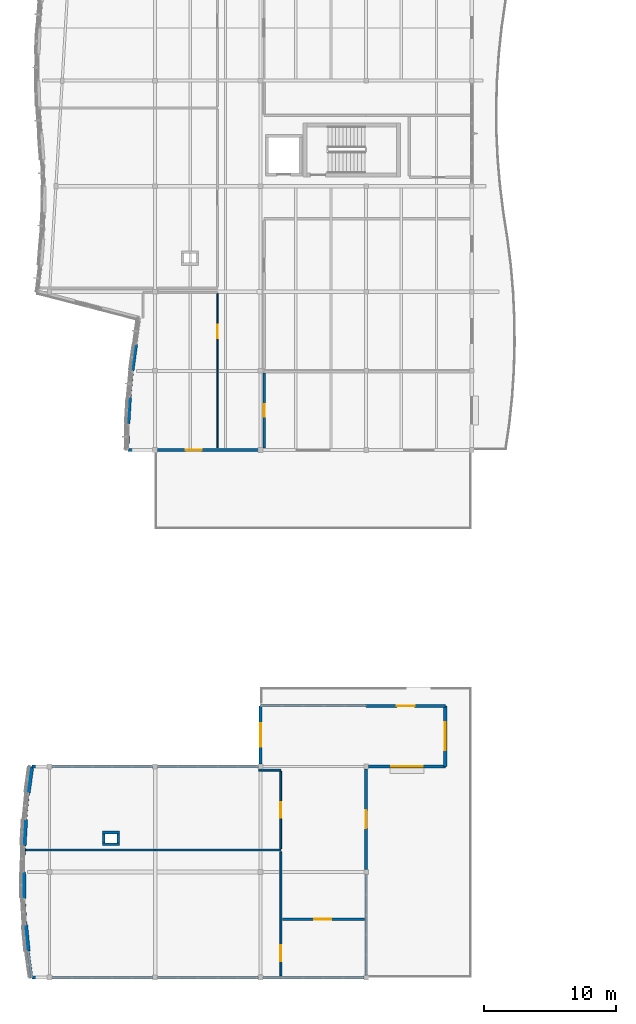
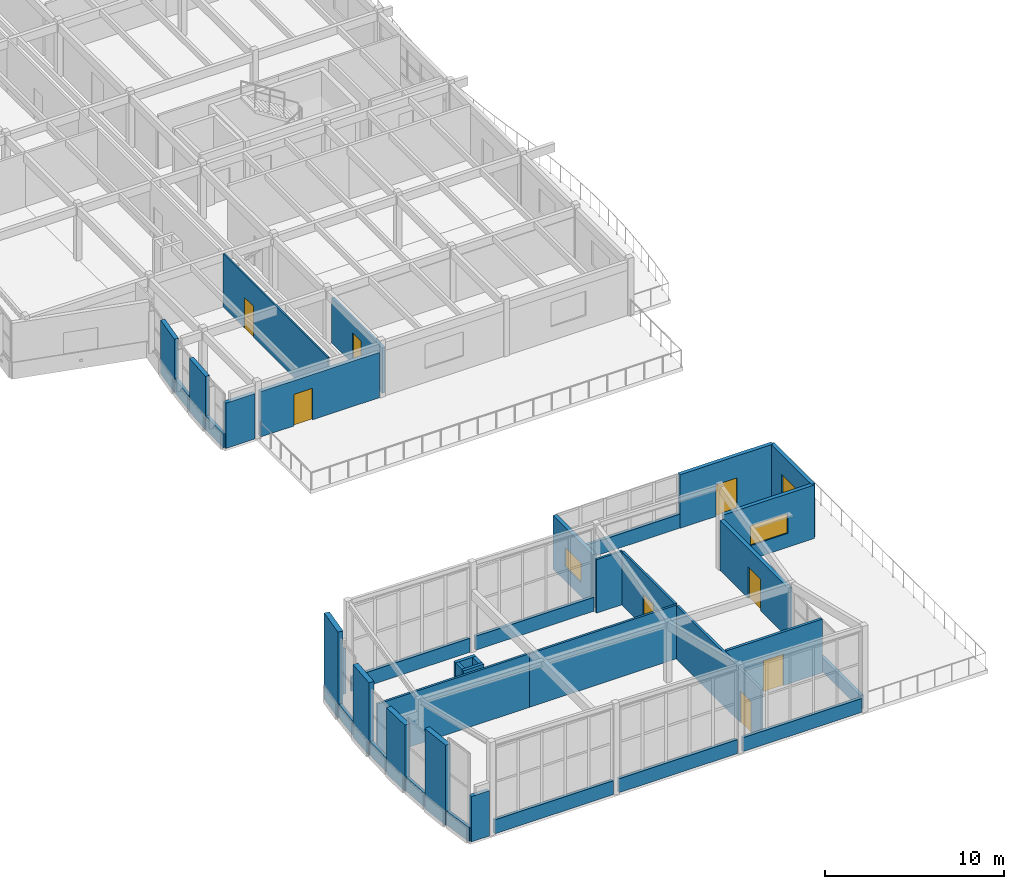
# One storey, part 37 of 63: 40 walls, 8 doors, 3 windows, 11 openings.
"""IFC4 building model written with IfcOpenShell, lengths in metres."""

from ifc_helpers import new_model, si_unit, direction, frame, frame_2d, origin, place, context, subcontext, project, spatial, rectangle, extrude, material, layer, layer_set, type_object, element, fill, save


model = new_model("IFC4")

# Units and contexts
model_context = context("Model", 3, precision=1e-05, world=origin(), true_north=direction((0.0, 1.0)))
body_context = subcontext(model_context, "Body", "Model", "MODEL_VIEW")
ifc_project = project(units=[si_unit("LENGTHUNIT", "METRE"), si_unit("AREAUNIT", "SQUARE_METRE"), si_unit("VOLUMEUNIT", "CUBIC_METRE"), si_unit("PLANEANGLEUNIT", "RADIAN"), si_unit("MASSUNIT", "GRAM", prefix="KILO")], contexts=[model_context])

# Site, building, storey
site_placement = place(None, origin())
site = spatial("IfcSite", under=ifc_project, at=site_placement, CompositionType="ELEMENT")
building_placement = place(site_placement, origin())
building = spatial("IfcBuilding", under=site, at=building_placement, Name="Tonlespit Floodbar School", CompositionType="ELEMENT")
storey_placement = place(building_placement, frame((0.0, 0.0, 8.39990234375)))
storey = spatial("IfcBuildingStorey", under=building, at=storey_placement, Name="L02", CompositionType="ELEMENT", Elevation=8.39990234375)

# Walls
ifc_material_1 = material(Name="Concrete C40/50", Category="concrete")
ifc_layer_1 = layer(ifc_material_1, 0.320068359375)
ifc_layer_set_1 = layer_set([ifc_layer_1], Name="Concrete C40/50")
wall_type_1 = type_object("IfcWallType", Name="ExtWall_Podium_RC_320", PredefinedType="SOLIDWALL", material=ifc_layer_set_1)
wall_1_placement = place(storey_placement, frame((2.378173828125, 6.0, 0.0), z_axis=(0.0, 0.0, 1.0), x_axis=(-0.096110619057, 0.995370659053, 0.0)))
element("IfcWall", 1, at=wall_1_placement, inside=storey, type_object=wall_type_1, Name="L02 external wall 0736", PredefinedType="SOLIDWALL", context=body_context, shape_type="SweptSolid", body=[
    extrude(rectangle(XDim=2.00927734375, YDim=0.320068359375, at=frame_2d((1.004638671875, 0.0))), origin(), (0.0, 0.0, 1.0), 5.465087890625),
])
wall_2_placement = place(storey_placement, frame((2.0693359375, 10.0, 0.0), z_axis=(0.0, 0.0, 1.0), x_axis=(-0.019161520385, 0.999816401214, 0.0)))
element("IfcWall", 2, at=wall_2_placement, inside=storey, type_object=wall_type_1, Name="L02 external wall 0738", PredefinedType="SOLIDWALL", context=body_context, shape_type="SweptSolid", body=[
    extrude(rectangle(XDim=2.00048828125, YDim=0.320068359375, at=frame_2d((1.000244140625, 0.0))), origin(), (0.0, 0.0, 1.0), 4.503662109375),
])
wall_3_placement = place(storey_placement, frame((2.0693359375, 14.0, 0.0), z_axis=(0.0, 0.0, 1.0), x_axis=(0.05776471272, 0.998330224908, 0.0)))
element("IfcWall", 3, at=wall_3_placement, inside=storey, type_object=wall_type_1, Name="L02 external wall 0740", PredefinedType="SOLIDWALL", context=body_context, shape_type="SweptSolid", body=[
    extrude(rectangle(XDim=2.00341796875, YDim=0.320068359375, at=frame_2d((1.001708984375, 0.0))), origin(), (0.0, 0.0, 1.0), 4.961669921875),
])
wall_4_placement = place(storey_placement, frame((2.378173828125, 18.0, 0.0), z_axis=(0.0, 0.0, 1.0), x_axis=(0.134627389588, 0.990896294257, 0.0)))
element("IfcWall", 4, at=wall_4_placement, inside=storey, type_object=wall_type_1, Name="L02 external wall 0742", PredefinedType="SOLIDWALL", context=body_context, shape_type="SweptSolid", body=[
    extrude(rectangle(XDim=2.018310546875, YDim=0.320068359375, at=frame_2d((1.00927734375, 0.0))), origin(), (0.0, 0.0, 1.0), 5.872802734375),
])

# Wall, opening, door
ifc_material_2 = material(Name="Precast concrete C40/50", Category="concrete")
ifc_layer_2 = layer(ifc_material_2, 0.239990234375)
ifc_layer_set_2 = layer_set([ifc_layer_2], Name="Precast concrete C40/50")
wall_type_2 = type_object("IfcWallType", Name="ExtWall_Rainscreen_240", PredefinedType="SOLIDWALL", material=ifc_layer_set_2)
wall_5_placement = place(storey_placement, frame((19.820068359375, 44.0, 0.0), z_axis=(0.0, 0.0, 1.0), x_axis=(-1.0, 0.0, 0.0)))
wall_5 = element("IfcWall", 5, at=wall_5_placement, inside=storey, type_object=wall_type_2, Name="L02 external wall 0419", PredefinedType="SOLIDWALL", context=body_context, shape_type="SweptSolid", body=[
    extrude(rectangle(XDim=7.64013671875, YDim=0.239990234375, at=frame_2d((3.820068359375, 0.0))), origin(), (0.0, 0.0, 1.0), 3.088134765625),
])
opening_1_placement = place(wall_5_placement, frame((4.300048828125, 0.0, 0.0)))
opening_1 = element("IfcOpeningElement", 6, at=opening_1_placement, cuts=wall_5, Name="Opening D-TR-018", PredefinedType="OPENING", context=body_context, shape_type="SweptSolid", body=[
    extrude(rectangle(XDim=1.199951171875, YDim=2.14990234375, at=frame_2d((0.60009765625, 1.074951171875))), frame((0.0, 0.1298828125, 0.0), z_axis=(0.0, -1.0, 0.0), x_axis=(1.0, 0.0, 0.0)), (0.0, 0.0, 1.0), 0.260009765625),
])
ifc_material_3 = material(Name="Anodised Aluminium", Category="aluminium")
door_type_1 = type_object("IfcDoorType", Name="ExtDoor_Terrace_1200x2150", OperationType="NOTDEFINED", PredefinedType="DOOR", material=ifc_material_3)
door_1_placement = place(opening_1_placement, origin())
door_1 = element("IfcDoor", 7, at=door_1_placement, inside=storey, type_object=door_type_1, Name="L02 exterior door D-TR-018", OperationType="SINGLE_SWING_RIGHT", OverallHeight=2.14990234375, OverallWidth=1.199951171875, PredefinedType="DOOR", context=body_context, shape_type="SweptSolid", body=[
    extrude(rectangle(XDim=1.199951171875, YDim=2.14990234375, at=frame_2d((0.60009765625, 1.074951171875))), frame((0.0, 0.02490234375, 0.0), z_axis=(0.0, -1.0, 0.0), x_axis=(1.0, 0.0, 0.0)), (0.0, 0.0, 1.0), 0.050048828125),
])
fill(opening_1, door_1)

# Walls
wall_6_placement = place(storey_placement, frame((11.820068359375, 44.0, 0.0), z_axis=(0.0, 0.0, 1.0), x_axis=(-1.0, 0.0, 0.0)))
element("IfcWall", 8, at=wall_6_placement, inside=storey, type_object=wall_type_2, Name="L02 external wall 0420", PredefinedType="SOLIDWALL", context=body_context, shape_type="SweptSolid", body=[
    extrude(rectangle(XDim=1.88916015625, YDim=0.239990234375, at=frame_2d((0.944580078125, 0.0))), origin(), (0.0, 0.0, 1.0), 3.090087890625),
])
for number, where, z_axis, x_axis, name in (
    (9, (3.820068359375, 4.0, 0.0), (0.0, 0.0, 1.0), (-1.0, 0.0, 0.0), "L02 external wall 0746"),
    (10, (2.64990234375, 20.0, 0.0), (0.0, 0.0, 1.0), (1.0, 0.0, 0.0), "L02 external wall 0747"),
):
    element("IfcWall", number, at=place(storey_placement, frame(where, z_axis=z_axis, x_axis=x_axis)), inside=storey, type_object=wall_type_2, Name=name, PredefinedType="SOLIDWALL", context=body_context, shape_type="SweptSolid", body=[
        extrude(rectangle(XDim=1.170166015625, YDim=0.239990234375, at=frame_2d((0.5849609375, 0.0))), origin(), (0.0, 0.0, 1.0), 3.090087890625),
    ])

# Wall, opening, window
wall_7_placement = place(storey_placement, frame((20.0, 20.179931640625, 0.0), z_axis=(0.0, 0.0, 1.0), x_axis=(0.0, 1.0, 0.0)))
wall_7 = element("IfcWall", 11, at=wall_7_placement, inside=storey, type_object=wall_type_2, Name="L02 external wall 0750", PredefinedType="SOLIDWALL", context=body_context, shape_type="SweptSolid", body=[
    extrude(rectangle(XDim=4.420166015625, YDim=0.239990234375, at=frame_2d((2.2099609375, 0.0))), origin(), (0.0, 0.0, 1.0), 3.650146484375),
])
opening_2_placement = place(wall_7_placement, frame((1.31005859375, 0.0, 0.949951171875)))
opening_2 = element("IfcOpeningElement", 12, at=opening_2_placement, cuts=wall_7, Name="Opening W-L02-082", PredefinedType="OPENING", context=body_context, shape_type="SweptSolid", body=[
    extrude(rectangle(XDim=1.800048828125, YDim=1.35009765625, at=frame_2d((0.89990234375, 0.675048828125))), frame((0.0, 0.1298828125, 0.0), z_axis=(0.0, -1.0, 0.0), x_axis=(1.0, 0.0, 0.0)), (0.0, 0.0, 1.0), 0.260009765625),
])
ifc_material_4 = material(Name="Tempered Double Glazing", Category="glass")
window_type_1 = type_object("IfcWindowType", Name="Win_Mod_1800x1350", PartitioningType="DOUBLE_PANEL_VERTICAL", PredefinedType="WINDOW", material=ifc_material_4)
window_1_placement = place(opening_2_placement, origin())
window_1 = element("IfcWindow", 13, at=window_1_placement, inside=storey, type_object=window_type_1, Name="L02 window W-L02-082", OverallHeight=1.35009765625, OverallWidth=1.800048828125, PartitioningType="DOUBLE_PANEL_VERTICAL", PredefinedType="WINDOW", context=body_context, shape_type="SweptSolid", body=[
    extrude(rectangle(XDim=1.800048828125, YDim=1.35009765625, at=frame_2d((0.89990234375, 0.675048828125))), frame((0.0, 0.030029296875, 0.0), z_axis=(0.0, -1.0, 0.0), x_axis=(1.0, 0.0, 0.0)), (0.0, 0.0, 1.0), 0.06005859375),
])
fill(opening_2, window_1)

# Wall, opening, door
wall_8_placement = place(storey_placement, frame((28.0, 24.60009765625, 0.0), z_axis=(0.0, 0.0, 1.0), x_axis=(1.0, 0.0, 0.0)))
wall_8 = element("IfcWall", 14, at=wall_8_placement, inside=storey, type_object=wall_type_2, Name="L02 external wall 0752", PredefinedType="SOLIDWALL", context=body_context, shape_type="SweptSolid", body=[
    extrude(rectangle(XDim=6.0, YDim=0.239990234375, at=frame_2d((3.0, 0.0))), origin(), (0.0, 0.0, 1.0), 3.650146484375),
])
opening_3_placement = place(wall_8_placement, frame((2.324951171875, 0.0, 0.0)))
opening_3 = element("IfcOpeningElement", 15, at=opening_3_placement, cuts=wall_8, Name="Opening D-TR-040", PredefinedType="OPENING", context=body_context, shape_type="SweptSolid", body=[
    extrude(rectangle(XDim=1.35009765625, YDim=2.14990234375, at=frame_2d((0.675048828125, 1.074951171875))), frame((0.0, 0.1298828125, 0.0), z_axis=(0.0, -1.0, 0.0), x_axis=(1.0, 0.0, 0.0)), (0.0, 0.0, 1.0), 0.260009765625),
])
door_type_2 = type_object("IfcDoorType", Name="ExtDoor_Terrace_1350x2150", OperationType="NOTDEFINED", PredefinedType="DOOR", material=ifc_material_3)
door_2_placement = place(opening_3_placement, origin())
door_2 = element("IfcDoor", 16, at=door_2_placement, inside=storey, type_object=door_type_2, Name="L02 exterior door D-TR-040", OperationType="SINGLE_SWING_RIGHT", OverallHeight=2.14990234375, OverallWidth=1.35009765625, PredefinedType="DOOR", context=body_context, shape_type="SweptSolid", body=[
    extrude(rectangle(XDim=1.35009765625, YDim=2.14990234375, at=frame_2d((0.675048828125, 1.074951171875))), frame((0.0, 0.02490234375, 0.0), z_axis=(0.0, -1.0, 0.0), x_axis=(1.0, 0.0, 0.0)), (0.0, 0.0, 1.0), 0.050048828125),
])
fill(opening_3, door_2)

# Wall, opening, window
wall_9_placement = place(storey_placement, frame((34.0, 24.60009765625, 0.0), z_axis=(0.0, 0.0, 1.0), x_axis=(0.0, -1.0, 0.0)))
wall_9 = element("IfcWall", 17, at=wall_9_placement, inside=storey, type_object=wall_type_2, Name="L02 external wall 0753", PredefinedType="SOLIDWALL", context=body_context, shape_type="SweptSolid", body=[
    extrude(rectangle(XDim=4.60009765625, YDim=0.239990234375, at=frame_2d((2.300048828125, 0.0))), origin(), (0.0, 0.0, 1.0), 3.650146484375),
])
opening_4_placement = place(wall_9_placement, frame((1.25, 0.0, 0.949951171875)))
opening_4 = element("IfcOpeningElement", 18, at=opening_4_placement, cuts=wall_9, Name="Opening W-L02-083", PredefinedType="OPENING", context=body_context, shape_type="SweptSolid", body=[
    extrude(rectangle(XDim=2.10009765625, YDim=1.35009765625, at=frame_2d((1.050048828125, 0.675048828125))), frame((0.0, 0.1298828125, 0.0), z_axis=(0.0, -1.0, 0.0), x_axis=(1.0, 0.0, 0.0)), (0.0, 0.0, 1.0), 0.260009765625),
])
window_type_2 = type_object("IfcWindowType", Name="Win_Mod_2100x1350", PartitioningType="DOUBLE_PANEL_VERTICAL", PredefinedType="WINDOW", material=ifc_material_4)
window_2_placement = place(opening_4_placement, origin())
window_2 = element("IfcWindow", 19, at=window_2_placement, inside=storey, type_object=window_type_2, Name="L02 window W-L02-083", OverallHeight=1.35009765625, OverallWidth=2.10009765625, PartitioningType="DOUBLE_PANEL_VERTICAL", PredefinedType="WINDOW", context=body_context, shape_type="SweptSolid", body=[
    extrude(rectangle(XDim=2.10009765625, YDim=1.35009765625, at=frame_2d((1.050048828125, 0.675048828125))), frame((0.0, 0.030029296875, 0.0), z_axis=(0.0, -1.0, 0.0), x_axis=(1.0, 0.0, 0.0)), (0.0, 0.0, 1.0), 0.06005859375),
])
fill(opening_4, window_2)

wall_10_placement = place(storey_placement, frame((34.0, 20.0, 0.0), z_axis=(0.0, 0.0, 1.0), x_axis=(-1.0, 0.0, 0.0)))
wall_10 = element("IfcWall", 20, at=wall_10_placement, inside=storey, type_object=wall_type_2, Name="L02 external wall 0754", PredefinedType="SOLIDWALL", context=body_context, shape_type="SweptSolid", body=[
    extrude(rectangle(XDim=5.820068359375, YDim=0.239990234375, at=frame_2d((2.91015625, 0.0))), origin(), (0.0, 0.0, 1.0), 3.650146484375),
])
opening_5_placement = place(wall_10_placement, frame((1.7099609375, 0.0, 0.949951171875)))
opening_5 = element("IfcOpeningElement", 21, at=opening_5_placement, cuts=wall_10, Name="Opening W-L02-084", PredefinedType="OPENING", context=body_context, shape_type="SweptSolid", body=[
    extrude(rectangle(XDim=2.39990234375, YDim=1.35009765625, at=frame_2d((1.199951171875, 0.675048828125))), frame((0.0, 0.1298828125, 0.0), z_axis=(0.0, -1.0, 0.0), x_axis=(1.0, 0.0, 0.0)), (0.0, 0.0, 1.0), 0.260009765625),
])
window_type_3 = type_object("IfcWindowType", Name="Win_Mod_2400x1350", PartitioningType="DOUBLE_PANEL_VERTICAL", PredefinedType="WINDOW", material=ifc_material_4)
window_3_placement = place(opening_5_placement, origin())
window_3 = element("IfcWindow", 22, at=window_3_placement, inside=storey, type_object=window_type_3, Name="L02 window W-L02-084", OverallHeight=1.35009765625, OverallWidth=2.39990234375, PartitioningType="DOUBLE_PANEL_VERTICAL", PredefinedType="WINDOW", context=body_context, shape_type="SweptSolid", body=[
    extrude(rectangle(XDim=2.39990234375, YDim=1.35009765625, at=frame_2d((1.199951171875, 0.675048828125))), frame((0.0, 0.030029296875, 0.0), z_axis=(0.0, -1.0, 0.0), x_axis=(1.0, 0.0, 0.0)), (0.0, 0.0, 1.0), 0.06005859375),
])
fill(opening_5, window_3)

# Wall, opening, door
wall_11_placement = place(storey_placement, frame((28.0, 19.820068359375, 0.0), z_axis=(0.0, 0.0, 1.0), x_axis=(0.0, -1.0, 0.0)))
wall_11 = element("IfcWall", 23, at=wall_11_placement, inside=storey, type_object=wall_type_2, Name="L02 external wall 0755", PredefinedType="SOLIDWALL", context=body_context, shape_type="SweptSolid", body=[
    extrude(rectangle(XDim=7.64013671875, YDim=0.239990234375, at=frame_2d((3.820068359375, 0.0))), origin(), (0.0, 0.0, 1.0), 3.411865234375),
])
opening_6_placement = place(wall_11_placement, frame((3.14501953125, 0.0, 0.0)))
opening_6 = element("IfcOpeningElement", 24, at=opening_6_placement, cuts=wall_11, Name="Opening D-TR-041", PredefinedType="OPENING", context=body_context, shape_type="SweptSolid", body=[
    extrude(rectangle(XDim=1.35009765625, YDim=2.14990234375, at=frame_2d((0.675048828125, 1.074951171875))), frame((0.0, 0.1298828125, 0.0), z_axis=(0.0, -1.0, 0.0), x_axis=(1.0, 0.0, 0.0)), (0.0, 0.0, 1.0), 0.260009765625),
])
door_3_placement = place(opening_6_placement, origin())
door_3 = element("IfcDoor", 25, at=door_3_placement, inside=storey, type_object=door_type_2, Name="L02 exterior door D-TR-041", OperationType="SINGLE_SWING_LEFT", OverallHeight=2.14990234375, OverallWidth=1.35009765625, PredefinedType="DOOR", context=body_context, shape_type="SweptSolid", body=[
    extrude(rectangle(XDim=1.35009765625, YDim=2.14990234375, at=frame_2d((0.675048828125, 1.074951171875))), frame((0.0, 0.02490234375, 0.0), z_axis=(0.0, -1.0, 0.0), x_axis=(1.0, 0.0, 0.0)), (0.0, 0.0, 1.0), 0.050048828125),
])
fill(opening_6, door_3)

# Walls
ifc_layer_3 = layer(ifc_material_2, 0.260009765625)
ifc_layer_set_3 = layer_set([ifc_layer_3], Name="Precast concrete C40/50")
wall_type_3 = type_object("IfcWallType", Name="ExtWall_Rainscreen_260", PredefinedType="SOLIDWALL", material=ifc_layer_set_3)
wall_12_placement = place(storey_placement, frame((9.969482421875, 46.0, 0.0), z_axis=(0.0, 0.0, 1.0), x_axis=(0.057643251596, 0.998337245396, 0.0)))
element("IfcWall", 26, at=wall_12_placement, inside=storey, type_object=wall_type_3, Name="L02 external wall 0381", PredefinedType="SOLIDWALL", context=body_context, shape_type="SweptSolid", body=[
    extrude(rectangle(XDim=2.00341796875, YDim=0.260009765625, at=frame_2d((1.001708984375, 0.0))), origin(), (0.0, 0.0, 1.0), 3.650146484375),
])
wall_13_placement = place(storey_placement, frame((10.2783203125, 50.0, 0.0), z_axis=(0.0, 0.0, 1.0), x_axis=(0.134627389588, 0.990896294257, 0.0)))
element("IfcWall", 27, at=wall_13_placement, inside=storey, type_object=wall_type_3, Name="L02 external wall 0383", PredefinedType="SOLIDWALL", context=body_context, shape_type="SweptSolid", body=[
    extrude(rectangle(XDim=2.018310546875, YDim=0.260009765625, at=frame_2d((1.00927734375, 0.0))), origin(), (0.0, 0.0, 1.0), 3.650146484375),
])
ifc_material_5 = material(Name="White Architectural Precast concrete C40/50", Category="concrete")
ifc_layer_4 = layer(ifc_material_5, 0.18505859375)
ifc_layer_set_4 = layer_set([ifc_layer_4], Name="White Architectural Precast concrete C40/50")
wall_type_4 = type_object("IfcWallType", Name="ExtWall_Spandrel_White_185", PredefinedType="SOLIDWALL", material=ifc_layer_set_4)
for number, where, z_axis, x_axis, name in (
    (28, (27.820068359375, 4.0, 0.0), (0.0, 0.0, 1.0), (-1.0, 0.0, 0.0), "L02 spandrel wall 0743"),
    (29, (19.820068359375, 4.0, 0.0), (0.0, 0.0, 1.0), (-1.0, 0.0, 0.0), "L02 spandrel wall 0744"),
    (30, (11.820068359375, 4.0, 0.0), (0.0, 0.0, 1.0), (-1.0, 0.0, 0.0), "L02 spandrel wall 0745"),
    (31, (4.179931640625, 20.0, 0.0), (0.0, 0.0, 1.0), (1.0, 0.0, 0.0), "L02 spandrel wall 0748"),
    (32, (12.179931640625, 20.0, 0.0), (0.0, 0.0, 1.0), (1.0, 0.0, 0.0), "L02 spandrel wall 0749"),
):
    element("IfcWall", number, at=place(storey_placement, frame(where, z_axis=z_axis, x_axis=x_axis)), inside=storey, type_object=wall_type_4, Name=name, PredefinedType="SOLIDWALL", context=body_context, shape_type="SweptSolid", body=[
        extrude(rectangle(XDim=7.64013671875, YDim=0.18505859375, at=frame_2d((3.820068359375, 0.0))), origin(), (0.0, 0.0, 1.0), 0.9501953125),
    ])
wall_14_placement = place(storey_placement, frame((20.0, 24.60009765625, 0.0), z_axis=(0.0, 0.0, 1.0), x_axis=(1.0, 0.0, 0.0)))
element("IfcWall", 33, at=wall_14_placement, inside=storey, type_object=wall_type_4, Name="L02 spandrel wall 0751", PredefinedType="SOLIDWALL", context=body_context, shape_type="SweptSolid", body=[
    extrude(rectangle(XDim=8.0, YDim=0.18505859375, at=frame_2d((4.0, 0.0))), origin(), (0.0, 0.0, 1.0), 0.9501953125),
])
wall_15_placement = place(storey_placement, frame((28.0, 11.820068359375, 0.0), z_axis=(0.0, 0.0, 1.0), x_axis=(0.0, -1.0, 0.0)))
element("IfcWall", 34, at=wall_15_placement, inside=storey, type_object=wall_type_4, Name="L02 spandrel wall 0756", PredefinedType="SOLIDWALL", context=body_context, shape_type="SweptSolid", body=[
    extrude(rectangle(XDim=7.64013671875, YDim=0.18505859375, at=frame_2d((3.820068359375, 0.0))), origin(), (0.0, 0.0, 1.0), 0.9501953125),
])
ifc_layer_5 = layer(ifc_material_5, 0.199951171875)
ifc_layer_set_5 = layer_set([ifc_layer_5], Name="White Architectural Precast concrete C40/50")
wall_type_5 = type_object("IfcWallType", Name="ExtWall_Spandrel_White_200", PredefinedType="SOLIDWALL", material=ifc_layer_set_5)
wall_16_placement = place(storey_placement, frame((9.930908203125, 44.0, 0.0), z_axis=(0.0, 0.0, 1.0), x_axis=(0.019283523045, 0.999814055582, 0.0)))
element("IfcWall", 35, at=wall_16_placement, inside=storey, type_object=wall_type_5, Name="L02 spandrel wall 0380", PredefinedType="SOLIDWALL", context=body_context, shape_type="SweptSolid", body=[
    extrude(rectangle(XDim=2.00048828125, YDim=0.199951171875, at=frame_2d((1.000244140625, 0.0))), origin(), (0.0, 0.0, 1.0), 0.9501953125),
])
wall_17_placement = place(storey_placement, frame((10.0849609375, 48.0, 0.0), z_axis=(0.0, 0.0, 1.0), x_axis=(0.09623099978, 0.99535902803, 0.0)))
element("IfcWall", 36, at=wall_17_placement, inside=storey, type_object=wall_type_5, Name="L02 spandrel wall 0382", PredefinedType="SOLIDWALL", context=body_context, shape_type="SweptSolid", body=[
    extrude(rectangle(XDim=2.00927734375, YDim=0.199951171875, at=frame_2d((1.004638671875, 0.0))), origin(), (0.0, 0.0, 1.0), 0.9501953125),
])
wall_18_placement = place(storey_placement, frame((2.64990234375, 4.0, 0.0), z_axis=(0.0, 0.0, 1.0), x_axis=(-0.134627389588, 0.990896294257, 0.0)))
element("IfcWall", 37, at=wall_18_placement, inside=storey, type_object=wall_type_5, Name="L02 spandrel wall 0735", PredefinedType="SOLIDWALL", context=body_context, shape_type="SweptSolid", body=[
    extrude(rectangle(XDim=2.018310546875, YDim=0.199951171875, at=frame_2d((1.00927734375, 0.0))), origin(), (0.0, 0.0, 1.0), 0.9501953125),
])
wall_19_placement = place(storey_placement, frame((2.18505859375, 8.0, 0.0), z_axis=(0.0, 0.0, 1.0), x_axis=(-0.05776471272, 0.998330224908, 0.0)))
element("IfcWall", 38, at=wall_19_placement, inside=storey, type_object=wall_type_5, Name="L02 spandrel wall 0737", PredefinedType="SOLIDWALL", context=body_context, shape_type="SweptSolid", body=[
    extrude(rectangle(XDim=2.00341796875, YDim=0.199951171875, at=frame_2d((1.001708984375, 0.0))), origin(), (0.0, 0.0, 1.0), 0.9501953125),
])
wall_20_placement = place(storey_placement, frame((2.031005859375, 12.0, 0.0), z_axis=(0.0, 0.0, 1.0), x_axis=(0.019161520385, 0.999816401214, 0.0)))
element("IfcWall", 39, at=wall_20_placement, inside=storey, type_object=wall_type_5, Name="L02 spandrel wall 0739", PredefinedType="SOLIDWALL", context=body_context, shape_type="SweptSolid", body=[
    extrude(rectangle(XDim=2.00048828125, YDim=0.199951171875, at=frame_2d((1.000244140625, 0.0))), origin(), (0.0, 0.0, 1.0), 0.9501953125),
])
wall_21_placement = place(storey_placement, frame((2.18505859375, 16.0, 0.0), z_axis=(0.0, 0.0, 1.0), x_axis=(0.096110619057, 0.995370659053, 0.0)))
element("IfcWall", 40, at=wall_21_placement, inside=storey, type_object=wall_type_5, Name="L02 spandrel wall 0741", PredefinedType="SOLIDWALL", context=body_context, shape_type="SweptSolid", body=[
    extrude(rectangle(XDim=2.00927734375, YDim=0.199951171875, at=frame_2d((1.004638671875, 0.0))), origin(), (0.0, 0.0, 1.0), 0.9501953125),
])
ifc_layer_6 = layer(ifc_material_1, 0.199951171875)
ifc_layer_set_6 = layer_set([ifc_layer_6], Name="Concrete C40/50")
wall_type_6 = type_object("IfcWallType", Name="FireWall_Plant_200", PredefinedType="PARTITIONING", material=ifc_layer_set_6)
for number, where, z_axis, x_axis, name in (
    (41, (9.300048828125, 14.10009765625, 0.0), (0.0, 0.0, 1.0), (-1.0, 0.0, 0.0), "L02 service riser 06 wall S"),
    (42, (8.0, 15.0, 0.0), (0.0, 0.0, 1.0), (1.0, 0.0, 0.0), "L02 service riser 06 wall N"),
):
    element("IfcWall", number, at=place(storey_placement, frame(where, z_axis=z_axis, x_axis=x_axis)), inside=storey, type_object=wall_type_6, Name=name, PredefinedType="PARTITIONING", context=body_context, shape_type="SweptSolid", body=[
        extrude(rectangle(XDim=1.300048828125, YDim=0.199951171875, at=frame_2d((0.64990234375, 0.0))), origin(), (0.0, 0.0, 1.0), 3.650146484375),
    ])
for number, where, z_axis, x_axis, name in (
    (43, (8.10009765625, 14.199951171875, 0.0), (0.0, 0.0, 1.0), (0.0, 1.0, 0.0), "L02 service riser 06 wall W"),
    (44, (9.199951171875, 14.89990234375, 0.0), (0.0, 0.0, 1.0), (0.0, -1.0, 0.0), "L02 service riser 06 wall E"),
):
    element("IfcWall", number, at=place(storey_placement, frame(where, z_axis=z_axis, x_axis=x_axis)), inside=storey, type_object=wall_type_6, Name=name, PredefinedType="PARTITIONING", context=body_context, shape_type="SweptSolid", body=[
        extrude(rectangle(XDim=0.699951171875, YDim=0.199951171875, at=frame_2d((0.35009765625, 0.0))), origin(), (0.0, 0.0, 1.0), 3.650146484375),
    ])

# Wall, opening, door
ifc_material_6 = material(Name="Gypsum Plasterboard Partition")
ifc_layer_7 = layer(ifc_material_6, 0.10009765625)
ifc_layer_set_7 = layer_set([ifc_layer_7], Name="Gypsum Plasterboard Partition")
wall_type_7 = type_object("IfcWallType", Name="Partition_Gyp_100", PredefinedType="PARTITIONING", material=ifc_layer_set_7)
wall_22_placement = place(storey_placement, frame((16.72998046875, 44.162109375, 0.0), z_axis=(0.0, 0.0, 1.0), x_axis=(0.0, 1.0, 0.0)))
wall_22 = element("IfcWall", 45, at=wall_22_placement, inside=storey, type_object=wall_type_7, Name="L02 partition wall 0251", PredefinedType="PARTITIONING", context=body_context, shape_type="SweptSolid", body=[
    extrude(rectangle(XDim=11.702880859375, YDim=0.10009765625, at=frame_2d((5.8515625, 0.0))), origin(), (0.0, 0.0, 1.0), 3.650146484375),
])
opening_7_placement = place(wall_22_placement, frame((8.327880859375, 0.0, 0.0)))
opening_7 = element("IfcOpeningElement", 46, at=opening_7_placement, cuts=wall_22, Name="Opening D-L02-073", PredefinedType="OPENING", context=body_context, shape_type="SweptSolid", body=[
    extrude(rectangle(XDim=1.02001953125, YDim=2.10009765625, at=frame_2d((0.510009765625, 1.050048828125))), frame((0.0, 0.06005859375, 0.0), z_axis=(0.0, -1.0, 0.0), x_axis=(1.0, 0.0, 0.0)), (0.0, 0.0, 1.0), 0.1201171875),
])
ifc_material_7 = material(Name="Hardwood Timber", Category="wood")
door_type_3 = type_object("IfcDoorType", Name="IntDoor_1020x2100", OperationType="NOTDEFINED", PredefinedType="DOOR", material=ifc_material_7)
door_4_placement = place(opening_7_placement, origin())
door_4 = element("IfcDoor", 47, at=door_4_placement, inside=storey, type_object=door_type_3, Name="L02 interior door D-L02-073", OperationType="SINGLE_SWING_RIGHT", OverallHeight=2.10009765625, OverallWidth=1.02001953125, PredefinedType="DOOR", context=body_context, shape_type="SweptSolid", body=[
    extrude(rectangle(XDim=1.02001953125, YDim=2.10009765625, at=frame_2d((0.510009765625, 1.050048828125))), frame((0.0, 0.02490234375, 0.0), z_axis=(0.0, -1.0, 0.0), x_axis=(1.0, 0.0, 0.0)), (0.0, 0.0, 1.0), 0.050048828125),
])
fill(opening_7, door_4)

# Walls
ifc_layer_8 = layer(ifc_material_6, 0.139892578125)
ifc_layer_set_8 = layer_set([ifc_layer_8], Name="Gypsum Plasterboard Partition")
wall_type_8 = type_object("IfcWallType", Name="Partition_Gyp_140", PredefinedType="PARTITIONING", material=ifc_layer_set_8)
wall_23_placement = place(storey_placement, frame((2.205078125, 13.669921875, 0.0), z_axis=(0.0, 0.0, 1.0), x_axis=(1.0, 0.0, 0.0)))
element("IfcWall", 48, at=wall_23_placement, inside=storey, type_object=wall_type_8, Name="L02 partition wall 0450", PredefinedType="PARTITIONING", context=body_context, shape_type="SweptSolid", body=[
    extrude(rectangle(XDim=9.794921875, YDim=0.139892578125, at=frame_2d((4.8974609375, 0.0))), origin(), (0.0, 0.0, 1.0), 3.650146484375),
])
wall_24_placement = place(storey_placement, frame((12.0, 13.669921875, 0.0), z_axis=(0.0, 0.0, 1.0), x_axis=(1.0, 0.0, 0.0)))
element("IfcWall", 49, at=wall_24_placement, inside=storey, type_object=wall_type_8, Name="L02 partition wall 0451", PredefinedType="PARTITIONING", context=body_context, shape_type="SweptSolid", body=[
    extrude(rectangle(XDim=9.530029296875, YDim=0.139892578125, at=frame_2d((4.76513671875, 0.0))), origin(), (0.0, 0.0, 1.0), 3.650146484375),
])
wall_25_placement = place(storey_placement, frame((19.840087890625, 19.72998046875, 0.0), z_axis=(0.0, 0.0, 1.0), x_axis=(1.0, 0.0, 0.0)))
element("IfcWall", 50, at=wall_25_placement, inside=storey, type_object=wall_type_8, Name="L02 partition wall 0452", PredefinedType="PARTITIONING", context=body_context, shape_type="SweptSolid", body=[
    extrude(rectangle(XDim=1.68994140625, YDim=0.139892578125, at=frame_2d((0.844970703125, 0.0))), origin(), (0.0, 0.0, 1.0), 3.650146484375),
])

# Wall, opening, door
wall_26_placement = place(storey_placement, frame((21.530029296875, 13.7548828125, 0.0), z_axis=(0.0, 0.0, 1.0), x_axis=(0.0, 1.0, 0.0)))
wall_26 = element("IfcWall", 51, at=wall_26_placement, inside=storey, type_object=wall_type_8, Name="L02 partition wall 0453", PredefinedType="PARTITIONING", context=body_context, shape_type="SweptSolid", body=[
    extrude(rectangle(XDim=5.89013671875, YDim=0.139892578125, at=frame_2d((2.945068359375, 0.0))), origin(), (0.0, 0.0, 1.0), 3.650146484375),
])
opening_8_placement = place(wall_26_placement, frame((2.364990234375, 0.0, 0.0)))
opening_8 = element("IfcOpeningElement", 52, at=opening_8_placement, cuts=wall_26, Name="Opening D-L02-123", PredefinedType="OPENING", context=body_context, shape_type="SweptSolid", body=[
    extrude(rectangle(XDim=1.159912109375, YDim=2.14990234375, at=frame_2d((0.580078125, 1.074951171875))), frame((0.0, 0.079833984375, 0.0), z_axis=(0.0, -1.0, 0.0), x_axis=(1.0, 0.0, 0.0)), (0.0, 0.0, 1.0), 0.159912109375),
])
door_type_4 = type_object("IfcDoorType", Name="IntDoor_1160x2150", OperationType="NOTDEFINED", PredefinedType="DOOR", material=ifc_material_7)
door_5_placement = place(opening_8_placement, origin())
door_5 = element("IfcDoor", 53, at=door_5_placement, inside=storey, type_object=door_type_4, Name="L02 interior door D-L02-123", OperationType="SINGLE_SWING_RIGHT", OverallHeight=2.14990234375, OverallWidth=1.159912109375, PredefinedType="DOOR", context=body_context, shape_type="SweptSolid", body=[
    extrude(rectangle(XDim=1.159912109375, YDim=2.14990234375, at=frame_2d((0.580078125, 1.074951171875))), frame((0.0, 0.02490234375, 0.0), z_axis=(0.0, -1.0, 0.0), x_axis=(1.0, 0.0, 0.0)), (0.0, 0.0, 1.0), 0.050048828125),
])
fill(opening_8, door_5)

ifc_layer_9 = layer(ifc_material_6, 0.14990234375)
ifc_layer_set_9 = layer_set([ifc_layer_9], Name="Gypsum Plasterboard Partition")
wall_type_9 = type_object("IfcWallType", Name="Partition_Gyp_150", PredefinedType="PARTITIONING", material=ifc_layer_set_9)
wall_27_placement = place(storey_placement, frame((21.530029296875, 4.134521484375, 0.0), z_axis=(0.0, 0.0, 1.0), x_axis=(0.0, 1.0, 0.0)))
wall_27 = element("IfcWall", 54, at=wall_27_placement, inside=storey, type_object=wall_type_9, Name="L02 partition wall 0454", PredefinedType="PARTITIONING", context=body_context, shape_type="SweptSolid", body=[
    extrude(rectangle(XDim=9.3955078125, YDim=0.14990234375, at=frame_2d((4.69775390625, 0.0))), origin(), (0.0, 0.0, 1.0), 3.650146484375),
])
opening_9_placement = place(wall_27_placement, frame((1.10009765625, 0.0, 0.0)))
opening_9 = element("IfcOpeningElement", 55, at=opening_9_placement, cuts=wall_27, Name="Opening D-L02-124", PredefinedType="OPENING", context=body_context, shape_type="SweptSolid", body=[
    extrude(rectangle(XDim=1.219970703125, YDim=2.14990234375, at=frame_2d((0.60986328125, 1.074951171875))), frame((0.0, 0.0849609375, 0.0), z_axis=(0.0, -1.0, 0.0), x_axis=(1.0, 0.0, 0.0)), (0.0, 0.0, 1.0), 0.169921875),
])
door_type_5 = type_object("IfcDoorType", Name="IntDoor_1220x2150", OperationType="NOTDEFINED", PredefinedType="DOOR", material=ifc_material_7)
door_6_placement = place(opening_9_placement, origin())
door_6 = element("IfcDoor", 56, at=door_6_placement, inside=storey, type_object=door_type_5, Name="L02 interior door D-L02-124", OperationType="SINGLE_SWING_LEFT", OverallHeight=2.14990234375, OverallWidth=1.219970703125, PredefinedType="DOOR", context=body_context, shape_type="SweptSolid", body=[
    extrude(rectangle(XDim=1.219970703125, YDim=2.14990234375, at=frame_2d((0.60986328125, 1.074951171875))), frame((0.0, 0.02490234375, 0.0), z_axis=(0.0, -1.0, 0.0), x_axis=(1.0, 0.0, 0.0)), (0.0, 0.0, 1.0), 0.050048828125),
])
fill(opening_9, door_6)

ifc_layer_10 = layer(ifc_material_6, 0.169921875)
ifc_layer_set_10 = layer_set([ifc_layer_10], Name="Gypsum Plasterboard Partition")
wall_type_10 = type_object("IfcWallType", Name="Partition_Gyp_170", PredefinedType="PARTITIONING", material=ifc_layer_set_10)
wall_28_placement = place(storey_placement, frame((21.669921875, 8.429931640625, 0.0), z_axis=(0.0, 0.0, 1.0), x_axis=(1.0, 0.0, 0.0)))
wall_28 = element("IfcWall", 57, at=wall_28_placement, inside=storey, type_object=wall_type_10, Name="L02 partition wall 0455", PredefinedType="PARTITIONING", context=body_context, shape_type="SweptSolid", body=[
    extrude(rectangle(XDim=6.195556640625, YDim=0.169921875, at=frame_2d((3.09765625, 0.0))), origin(), (0.0, 0.0, 1.0), 3.650146484375),
])
opening_10_placement = place(wall_28_placement, frame((2.389892578125, 0.0, 0.0)))
opening_10 = element("IfcOpeningElement", 58, at=opening_10_placement, cuts=wall_28, Name="Opening D-L02-125", PredefinedType="OPENING", context=body_context, shape_type="SweptSolid", body=[
    extrude(rectangle(XDim=1.280029296875, YDim=2.14990234375, at=frame_2d((0.64013671875, 1.074951171875))), frame((0.0, 0.094970703125, 0.0), z_axis=(0.0, -1.0, 0.0), x_axis=(1.0, 0.0, 0.0)), (0.0, 0.0, 1.0), 0.18994140625),
])
door_type_6 = type_object("IfcDoorType", Name="IntDoor_1280x2150", OperationType="NOTDEFINED", PredefinedType="DOOR", material=ifc_material_7)
door_7_placement = place(opening_10_placement, origin())
door_7 = element("IfcDoor", 59, at=door_7_placement, inside=storey, type_object=door_type_6, Name="L02 interior door D-L02-125", OperationType="SINGLE_SWING_RIGHT", OverallHeight=2.14990234375, OverallWidth=1.280029296875, PredefinedType="DOOR", context=body_context, shape_type="SweptSolid", body=[
    extrude(rectangle(XDim=1.280029296875, YDim=2.14990234375, at=frame_2d((0.64013671875, 1.074951171875))), frame((0.0, 0.02490234375, 0.0), z_axis=(0.0, -1.0, 0.0), x_axis=(1.0, 0.0, 0.0)), (0.0, 0.0, 1.0), 0.050048828125),
])
fill(opening_10, door_7)

ifc_layer_11 = layer(ifc_material_6, 0.18505859375)
ifc_layer_set_11 = layer_set([ifc_layer_11], Name="Gypsum Plasterboard Partition")
wall_type_11 = type_object("IfcWallType", Name="Partition_Gyp_185", PredefinedType="PARTITIONING", material=ifc_layer_set_11)
wall_29_placement = place(storey_placement, frame((20.27001953125, 44.162109375, 0.0), z_axis=(0.0, 0.0, 1.0), x_axis=(0.0, 1.0, 0.0)))
wall_29 = element("IfcWall", 60, at=wall_29_placement, inside=storey, type_object=wall_type_11, Name="L02 partition wall 0245", PredefinedType="PARTITIONING", context=body_context, shape_type="SweptSolid", body=[
    extrude(rectangle(XDim=5.660400390625, YDim=0.18505859375, at=frame_2d((2.830078125, 0.0))), origin(), (0.0, 0.0, 1.0), 3.088134765625),
])
opening_11_placement = place(wall_29_placement, frame((2.363037109375, 0.0, 0.0)))
opening_11 = element("IfcOpeningElement", 61, at=opening_11_placement, cuts=wall_29, Name="Opening D-L02-071", PredefinedType="OPENING", context=body_context, shape_type="SweptSolid", body=[
    extrude(rectangle(XDim=0.949951171875, YDim=2.10009765625, at=frame_2d((0.47509765625, 1.050048828125))), frame((0.0, 0.1025390625, 0.0), z_axis=(0.0, -1.0, 0.0), x_axis=(1.0, 0.0, 0.0)), (0.0, 0.0, 1.0), 0.205078125),
])
door_type_7 = type_object("IfcDoorType", Name="IntDoor_950x2100", OperationType="NOTDEFINED", PredefinedType="DOOR", material=ifc_material_7)
door_8_placement = place(opening_11_placement, origin())
door_8 = element("IfcDoor", 62, at=door_8_placement, inside=storey, type_object=door_type_7, Name="L02 interior door D-L02-071", OperationType="SINGLE_SWING_RIGHT", OverallHeight=2.10009765625, OverallWidth=0.949951171875, PredefinedType="DOOR", context=body_context, shape_type="SweptSolid", body=[
    extrude(rectangle(XDim=0.949951171875, YDim=2.10009765625, at=frame_2d((0.47509765625, 1.050048828125))), frame((0.0, 0.02490234375, 0.0), z_axis=(0.0, -1.0, 0.0), x_axis=(1.0, 0.0, 0.0)), (0.0, 0.0, 1.0), 0.050048828125),
])
fill(opening_11, door_8)

save(model, "model.ifc")
